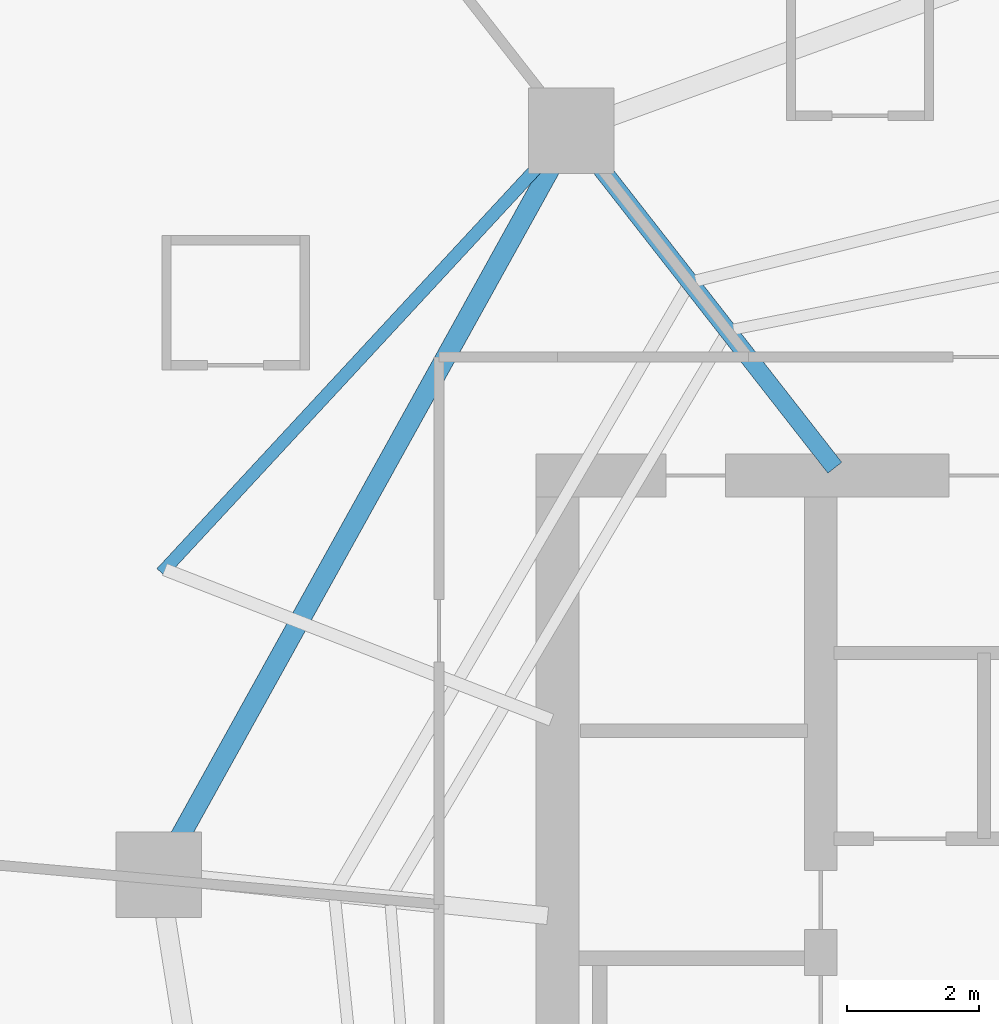
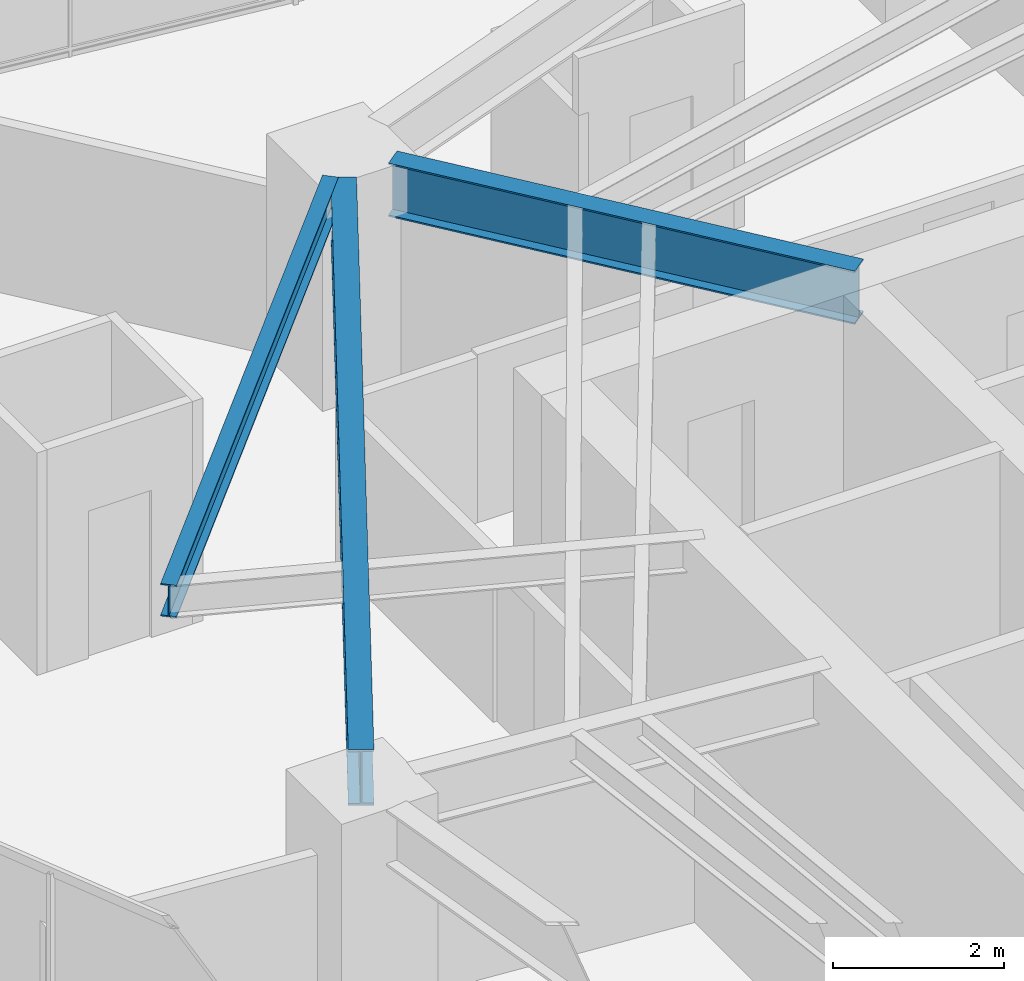
# One storey, part 17 of 30: 3 beams.
"""IFC4 building model written with IfcOpenShell, lengths in metres."""

import ifcopenshell
import ifcopenshell.guid

model = None  # the IFC model being written
_history = None  # IfcOwnerHistory: only IFC2X3 demands one
_inside = {}  # id of a spatial element -> (the spatial element, [elements in it])
_under = {}  # id of a project, library or spatial element -> (it, [spatial elements below it])
_declared = {}  # id of a project -> (the project, [libraries it declares])
_typed = {}  # id of a type object -> (the type object, [elements of that type])
_made_of = {}  # id of a material, layer set ... -> (it, [elements and type objects made of it])


def new_model(schema):
    """Start an empty IFC model of exactly this schema.

    Asked for "IFC4X3", IfcOpenShell would pick the latest addendum, in which some entities
    have other attributes; the version numbers below select the first issue.
    IFC2X3 requires an IfcOwnerHistory on every rooted entity: one is made here for all.
    """
    global model, _history
    if schema == "IFC4X3":
        model = ifcopenshell.file(schema_version=(4, 3, 0, 0))
    else:
        model = ifcopenshell.file(schema=schema)
    _inside.clear()
    _under.clear()
    _declared.clear()
    _typed.clear()
    _made_of.clear()
    _history = None
    if model.schema == "IFC2X3":
        org = make("IfcOrganization", Name="unknown")
        user = make(
            "IfcPersonAndOrganization",
            ThePerson=make("IfcPerson", FamilyName="unknown"),
            TheOrganization=org,
        )
        app = make(
            "IfcApplication",
            ApplicationDeveloper=org,
            Version="unknown",
            ApplicationFullName="unknown",
            ApplicationIdentifier="unknown",
        )
        _history = make(
            "IfcOwnerHistory",
            OwningUser=user,
            OwningApplication=app,
            ChangeAction="ADDED",
            CreationDate=0,
        )
    return model


def make(cls, **values):
    """One entity of the class cls with the attributes given. An attribute that is None is left unset."""
    return model.create_entity(
        cls, **{name: value for name, value in values.items() if value is not None}
    )


def rooted(cls, **values):
    """An entity with a GlobalId (a new one), such as an element, a storey or a relation."""
    return make(cls, GlobalId=ifcopenshell.guid.new(), OwnerHistory=_history, **values)


def si_unit(unit_type, name, prefix=None):
    """IfcSIUnit, for example si_unit("LENGTHUNIT", "METRE", prefix="MILLI")."""
    return make("IfcSIUnit", UnitType=unit_type, Prefix=prefix, Name=name)


def assignment(units):
    """IfcUnitAssignment: the units of a project."""
    return None if units is None else make("IfcUnitAssignment", Units=units)


def point(xyz):
    """IfcCartesianPoint."""
    return None if xyz is None else make("IfcCartesianPoint", Coordinates=xyz)


def direction(xyz):
    """IfcDirection."""
    return None if xyz is None else make("IfcDirection", DirectionRatios=xyz)


def frame(location, z_axis=None, x_axis=None):
    """IfcAxis2Placement3D, a coordinate frame: its origin and axes. An axis left out is left unset."""
    return make(
        "IfcAxis2Placement3D",
        Location=point(location),
        Axis=direction(z_axis),
        RefDirection=direction(x_axis),
    )


def frame_2d(location, x_axis=None):
    """IfcAxis2Placement2D, a coordinate frame in the plane: its origin and x axis."""
    return make(
        "IfcAxis2Placement2D", Location=point(location), RefDirection=direction(x_axis)
    )


def origin():
    """The frame at (0, 0, 0) with its axes left unset."""
    return frame((0.0, 0.0, 0.0))


def origin_2d():
    """The frame at (0, 0) in the plane with its x axis left unset."""
    return frame_2d((0.0, 0.0))


def place(relative_to, where):
    """IfcLocalPlacement: puts the frame where relative to a parent placement (None: the world)."""
    return make(
        "IfcLocalPlacement", PlacementRelTo=relative_to, RelativePlacement=where
    )


def context(
    kind, dimensions, precision=None, world=None, true_north=None, identifier=None
):
    """IfcGeometricRepresentationContext, for example the 3D "Model" context."""
    return make(
        "IfcGeometricRepresentationContext",
        ContextIdentifier=identifier,
        ContextType=kind,
        CoordinateSpaceDimension=dimensions,
        Precision=precision,
        WorldCoordinateSystem=world,
        TrueNorth=true_north,
    )


def subcontext(parent, identifier, kind, view, scale=None):
    """IfcGeometricRepresentationSubContext, for example "Body" below "Model"."""
    return make(
        "IfcGeometricRepresentationSubContext",
        ContextIdentifier=identifier,
        ContextType=kind,
        ParentContext=parent,
        TargetScale=scale,
        TargetView=view,
    )


def project(units=None, contexts=None):
    """IfcProject with its units and contexts."""
    return rooted(
        "IfcProject",
        Name="project",
        RepresentationContexts=contexts,
        UnitsInContext=assignment(units),
    )


def spatial(cls, under=None, at=None, **own):
    """A site, building, storey or space (cls), placed at a placement, below another one or the project."""
    s = rooted(cls, ObjectPlacement=at, **own)
    if under is not None:
        _under.setdefault(under.id(), (under, []))[1].append(s)
    return s


def profile(cls, at=None, kind="AREA", **sizes):
    """A parametric profile (cls). Its sizes go by their IFC names, for example OverallWidth=200.0."""
    return make(cls, ProfileType=kind, Position=at, **sizes)


def i_section(**sizes):
    """IfcIShapeProfileDef."""
    return profile("IfcIShapeProfileDef", **sizes)


def extrude(swept, where, along, depth):
    """IfcExtrudedAreaSolid: the profile swept, set in the frame where, extruded along a direction by depth."""
    return make(
        "IfcExtrudedAreaSolid",
        SweptArea=swept,
        Position=where,
        ExtrudedDirection=direction(along),
        Depth=depth,
    )


def shape(context_of_items, identifier, shape_type, items):
    """IfcShapeRepresentation: the items that make up one representation, for example the "Body"."""
    return make(
        "IfcShapeRepresentation",
        ContextOfItems=context_of_items,
        RepresentationIdentifier=identifier,
        RepresentationType=shape_type,
        Items=items,
    )


def material(Name=None, Category=None):
    """IfcMaterial."""
    return make("IfcMaterial", Name=Name, Category=Category)


def material_profile(
    of_material, cross_section, Name=None, Category=None, Priority=None
):
    """IfcMaterialProfile: a cross section and its material."""
    return make(
        "IfcMaterialProfile",
        Name=Name,
        Material=of_material,
        Profile=cross_section,
        Priority=Priority,
        Category=Category,
    )


def profile_set(profiles, Name=None, composite=None):
    """IfcMaterialProfileSet."""
    return make(
        "IfcMaterialProfileSet",
        Name=Name,
        MaterialProfiles=profiles,
        CompositeProfile=composite,
    )


def made_of(thing, what):
    """Note that an element or type object is made of a material, layer set ...; save() writes the relation."""
    if what is not None:
        _made_of.setdefault(what.id(), (what, []))[1].append(thing)
    return thing


def type_object(cls, material=None, **own):
    """A type object (cls), such as IfcWallType, which elements share."""
    return made_of(rooted(cls, **own), material)


def element(
    cls,
    number,
    at=None,
    inside=None,
    cuts=None,
    type_object=None,
    material=None,
    context=None,
    identifier="Body",
    shape_type=None,
    held_by="IfcProductDefinitionShape",
    body=None,
    shapes=None,
    **own,
):
    """One element of the class cls, such as IfcWall. Its Tag is "e" and its number.

    at: its placement. inside: the storey or other place that contains it. cuts: it is an
    opening in that element (IfcRelVoidsElement). A single representation is given by context,
    identifier, shape_type and body (its items); several are given by shapes. held_by: the class
    of the entity that holds the representations. save() writes the other relations.
    """
    e = rooted(cls, Tag="e%d" % number, ObjectPlacement=at, **own)
    if body is not None:
        shapes = [shape(context, identifier, shape_type, body)]
    if shapes is not None:
        e.Representation = make(held_by, Representations=shapes)
    if inside is not None:
        _inside.setdefault(inside.id(), (inside, []))[1].append(e)
    if cuts is not None:
        rooted(
            "IfcRelVoidsElement", RelatingBuildingElement=cuts, RelatedOpeningElement=e
        )
    if type_object is not None:
        _typed.setdefault(type_object.id(), (type_object, []))[1].append(e)
    return made_of(e, material)


def aggregate(whole, parts):
    """IfcRelAggregates: a whole, such as a stair, and the parts it consists of."""
    return rooted("IfcRelAggregates", RelatingObject=whole, RelatedObjects=parts)


def save(model, path):
    """Write the relations noted so far, then the file.

    IfcRelAggregates (storeys below a building ...), IfcRelContainedInSpatialStructure (elements
    in a storey), IfcRelDefinesByType, IfcRelAssociatesMaterial and IfcRelDeclares: one each for
    every whole, place, type object, material and project.
    """
    for whole, parts in _under.values():
        aggregate(whole, parts)
    for where, things in _inside.values():
        rooted(
            "IfcRelContainedInSpatialStructure",
            RelatedElements=things,
            RelatingStructure=where,
        )
    for kind, things in _typed.values():
        rooted("IfcRelDefinesByType", RelatedObjects=things, RelatingType=kind)
    for what, things in _made_of.values():
        rooted("IfcRelAssociatesMaterial", RelatedObjects=things, RelatingMaterial=what)
    for by, libraries in _declared.values():
        rooted("IfcRelDeclares", RelatingContext=by, RelatedDefinitions=libraries)
    model.write(path)


model = new_model("IFC4")

# Units and contexts
model_context = context("Model", 3, precision=1e-05, world=origin(), true_north=direction((0.0, 1.0)))
body_context = subcontext(model_context, "Body", "Model", "MODEL_VIEW")
ifc_project = project(units=[si_unit("LENGTHUNIT", "METRE"), si_unit("AREAUNIT", "SQUARE_METRE"), si_unit("VOLUMEUNIT", "CUBIC_METRE"), si_unit("PLANEANGLEUNIT", "RADIAN"), si_unit("MASSUNIT", "GRAM", prefix="KILO")], contexts=[model_context])

# Site, building, storey
site_placement = place(None, origin())
site = spatial("IfcSite", under=ifc_project, at=site_placement, CompositionType="ELEMENT")
building_placement = place(site_placement, origin())
building = spatial("IfcBuilding", under=site, at=building_placement, Name="Qarnah Convention Tower", CompositionType="ELEMENT")
storey_placement = place(building_placement, frame((0.0, 0.0, 40.800048828125)))
storey = spatial("IfcBuildingStorey", under=building, at=storey_placement, Name="L09", CompositionType="ELEMENT", Elevation=40.800048828125)

# Beams
ifc_material = material(Name="Structural steel S355JR", Category="steel")
ifc_material_profile_1 = material_profile(ifc_material, i_section(OverallWidth=0.19189453125, OverallDepth=0.464111328125, WebThickness=0.010986328125, FlangeThickness=0.01806640625, at=origin_2d()), Name="W460X89")
ifc_profile_set_1 = profile_set([ifc_material_profile_1], Name="Structural steel S355JR")
beam_type_1 = type_object("IfcBeamType", Name="BM-CANT-W460A", PredefinedType="BEAM", material=ifc_profile_set_1)
beam_1_placement = place(storey_placement, frame((20.782958984375, 32.719970703125, 2.93798828125), z_axis=(0.679611332191, 0.733572380313, 0.0), x_axis=(-0.733572380313, 0.679611332191, 0.0)))
element("IfcBeam", 1, at=beam_1_placement, inside=storey, type_object=beam_type_1, Name="L09 spandrel BM-L09-CTIE-02", PredefinedType="SPANDREL", context=body_context, shape_type="SweptSolid", body=[
    extrude(i_section(OverallWidth=0.19189453125, OverallDepth=0.464111328125, WebThickness=0.010986328125, FlangeThickness=0.01806640625, at=origin_2d()), origin(), (0.0, 0.0, 1.0), 8.52392578125),
])
ifc_material_profile_2 = material_profile(ifc_material, i_section(OverallWidth=0.26806640625, OverallDepth=0.760009765625, WebThickness=0.014892578125, FlangeThickness=0.02197265625, at=origin_2d()), Name="W760X185")
ifc_profile_set_2 = profile_set([ifc_material_profile_2], Name="Structural steel S355JR")
beam_type_2 = type_object("IfcBeamType", Name="BM-RAD-W760", PredefinedType="BEAM", material=ifc_profile_set_2)
beam_2_placement = place(storey_placement, frame((31.013916015625, 34.318115234375, 2.7900390625), z_axis=(-0.61558272574, 0.78807227319, 0.0), x_axis=(-0.78807227319, -0.61558272574, 0.0)))
element("IfcBeam", 2, at=beam_2_placement, inside=storey, type_object=beam_type_2, Name="L09 beam BM-L09-RAD-04", PredefinedType="BEAM", context=body_context, shape_type="SweptSolid", body=[
    extrude(i_section(OverallWidth=0.26806640625, OverallDepth=0.760009765625, WebThickness=0.014892578125, FlangeThickness=0.02197265625, at=origin_2d()), origin(), (0.0, 0.0, 1.0), 5.87255859375),
])
ifc_material_profile_3 = material_profile(ifc_material, i_section(OverallWidth=0.300048828125, OverallDepth=0.800048828125, WebThickness=0.01806640625, FlangeThickness=0.032958984375, at=origin_2d()), Name="HEB800")
ifc_profile_set_3 = profile_set([ifc_material_profile_3], Name="Structural steel S355JR")
beam_type_3 = type_object("IfcBeamType", Name="BM-RING-HEB800", PredefinedType="BEAM", material=ifc_profile_set_3)
beam_3_placement = place(storey_placement, frame((26.700927734375, 38.882080078125, 2.77001953125), z_axis=(-0.484829813426, -0.874608513572, 0.0), x_axis=(0.874608513572, -0.484829813426, 0.0)))
element("IfcBeam", 3, at=beam_3_placement, inside=storey, type_object=beam_type_3, Name="L09 beam BM-L09-SPN-04", PredefinedType="BEAM", context=body_context, shape_type="SweptSolid", body=[
    extrude(i_section(OverallWidth=0.300048828125, OverallDepth=0.800048828125, WebThickness=0.01806640625, FlangeThickness=0.032958984375, at=origin_2d()), origin(), (0.0, 0.0, 1.0), 11.6533203125),
])

save(model, "model.ifc")
